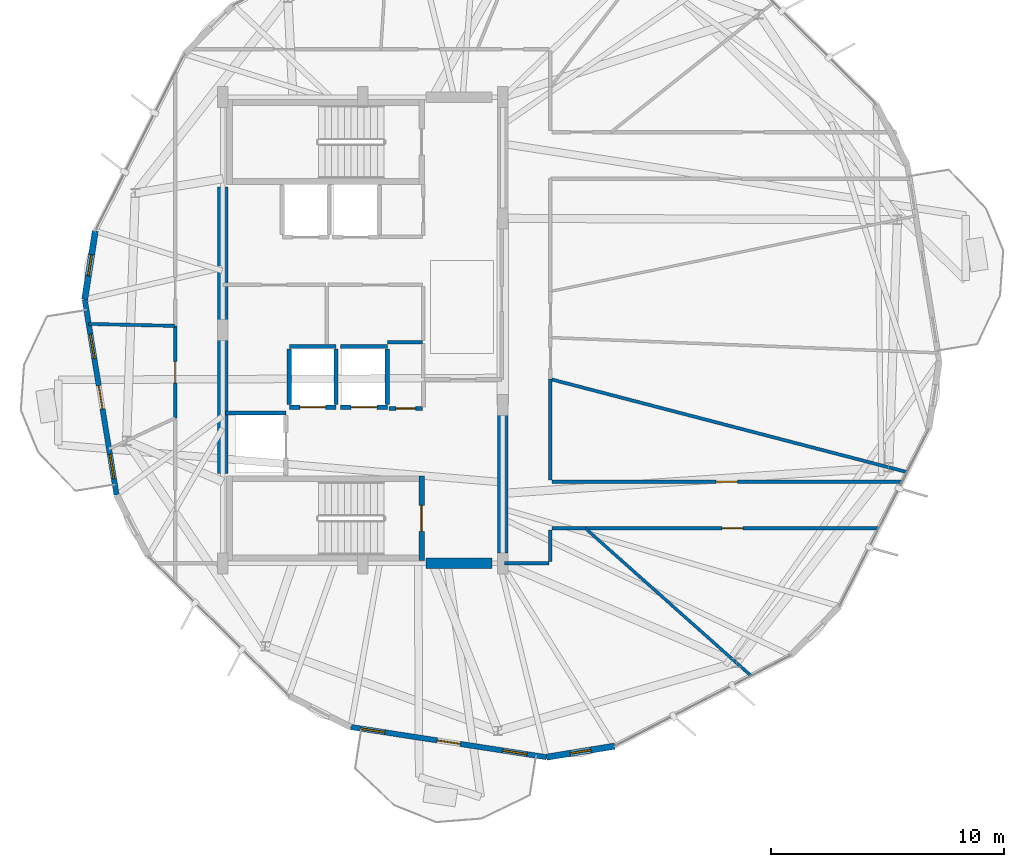
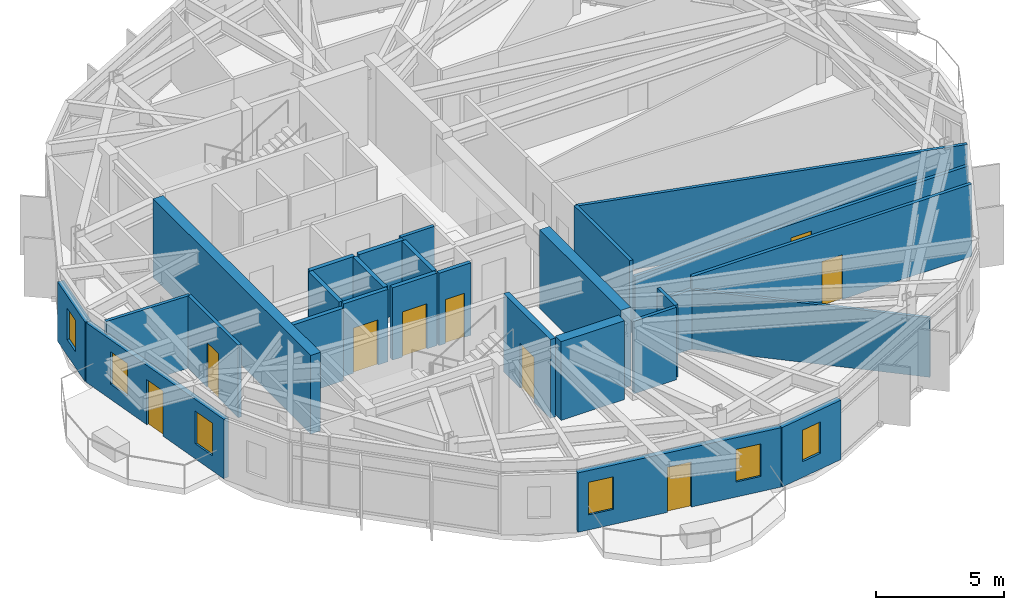
# One storey, part 17 of 22: 28 walls, 9 doors, 6 windows, 15 openings.
"""IFC4 building model written with IfcOpenShell, lengths in metres."""

from ifc_helpers import new_model, si_unit, direction, frame, frame_2d, origin, place, context, subcontext, project, spatial, rectangle, extrude, material, layer, layer_set, type_object, element, fill, save


model = new_model("IFC4")

# Units and contexts
model_context = context("Model", 3, precision=1e-05, world=origin(), true_north=direction((0.0, 1.0)))
body_context = subcontext(model_context, "Body", "Model", "MODEL_VIEW")
ifc_project = project(units=[si_unit("LENGTHUNIT", "METRE"), si_unit("AREAUNIT", "SQUARE_METRE"), si_unit("VOLUMEUNIT", "CUBIC_METRE"), si_unit("PLANEANGLEUNIT", "RADIAN"), si_unit("MASSUNIT", "GRAM", prefix="KILO")], contexts=[model_context])

# Site, building, storey
site_placement = place(None, origin())
site = spatial("IfcSite", under=ifc_project, at=site_placement, CompositionType="ELEMENT")
building_placement = place(site_placement, origin())
building = spatial("IfcBuilding", under=site, at=building_placement, Name="Soratama Intermodal Tower", CompositionType="ELEMENT")
storey_placement = place(building_placement, frame((0.0, 0.0, 265.0)))
storey = spatial("IfcBuildingStorey", under=building, at=storey_placement, Name="L67", CompositionType="ELEMENT", Elevation=265.0)

# Wall, openings, door, windows
ifc_material_1 = material(Name="Concrete f'c 42 MPa", Category="concrete")
ifc_layer_1 = layer(ifc_material_1, 0.22998046875)
ifc_layer_set_1 = layer_set([ifc_layer_1], Name="Concrete f'c 42 MPa")
wall_type_1 = type_object("IfcWallType", Name="EW-BAL-230", PredefinedType="SOLIDWALL", material=ifc_layer_set_1)
wall_1_placement = place(storey_placement, frame((26.669677734375, 26.32373046875, 0.0), z_axis=(0.0, 0.0, 1.0), x_axis=(0.16056432401, -0.987025378526, 0.0)))
wall_1 = element("IfcWall", 1, at=wall_1_placement, inside=storey, type_object=wall_type_1, Name="L67 Terrace Wall F04", PredefinedType="SOLIDWALL", context=body_context, shape_type="SweptSolid", body=[
    extrude(rectangle(XDim=8.499755859375, YDim=0.22998046875, at=frame_2d((4.25, 0.0))), origin(), (0.0, 0.0, 1.0), 2.8291015625),
])
opening_1_placement = place(wall_1_placement, frame((3.75, 0.0, 0.0)))
opening_1 = element("IfcOpeningElement", 2, at=opening_1_placement, cuts=wall_1, Name="Opening ED-2", PredefinedType="OPENING", context=body_context, shape_type="SweptSolid", body=[
    extrude(rectangle(XDim=1.0, YDim=2.14990234375, at=frame_2d((0.5, 1.074951171875))), frame((0.0, 0.125, 0.0), z_axis=(0.0, -1.0, 0.0), x_axis=(1.0, 0.0, 0.0)), (0.0, 0.0, 1.0), 0.25),
])
opening_2_placement = place(wall_1_placement, frame((1.52001953125, 0.0, 0.719970703125)))
opening_2 = element("IfcOpeningElement", 3, at=opening_2_placement, cuts=wall_1, Name="Opening WN-5", PredefinedType="OPENING", context=body_context, shape_type="SweptSolid", body=[
    extrude(rectangle(XDim=1.050048828125, YDim=1.550048828125, at=frame_2d((0.52490234375, 0.77490234375))), frame((0.0, 0.125, 0.0), z_axis=(0.0, -1.0, 0.0), x_axis=(1.0, 0.0, 0.0)), (0.0, 0.0, 1.0), 0.25),
])
opening_3_placement = place(wall_1_placement, frame((6.73974609375, 0.0, 0.719970703125)))
opening_3 = element("IfcOpeningElement", 4, at=opening_3_placement, cuts=wall_1, Name="Opening WN-5", PredefinedType="OPENING", context=body_context, shape_type="SweptSolid", body=[
    extrude(rectangle(XDim=1.050048828125, YDim=1.550048828125, at=frame_2d((0.52490234375, 0.77490234375))), frame((0.0, 0.125, 0.0), z_axis=(0.0, -1.0, 0.0), x_axis=(1.0, 0.0, 0.0)), (0.0, 0.0, 1.0), 0.25),
])
ifc_material_2 = material(Name="Double-glazed aluminium door", Category="aluminium")
door_type_1 = type_object("IfcDoorType", Name="DR-BAL-1000", OperationType="NOTDEFINED", PredefinedType="DOOR", material=ifc_material_2)
door_1_placement = place(opening_1_placement, origin())
door_1 = element("IfcDoor", 5, at=door_1_placement, inside=storey, type_object=door_type_1, Name="L67 Balcony Door F04", OperationType="SINGLE_SWING_RIGHT", OverallHeight=2.14990234375, OverallWidth=1.0, PredefinedType="DOOR", context=body_context, shape_type="SweptSolid", body=[
    extrude(rectangle(XDim=1.0, YDim=2.14990234375, at=frame_2d((0.5, 1.074951171875))), frame((0.0, 0.02490234375, 0.0), z_axis=(0.0, -1.0, 0.0), x_axis=(1.0, 0.0, 0.0)), (0.0, 0.0, 1.0), 0.050048828125),
])
fill(opening_1, door_1)
ifc_material_3 = material(Name="Double-glazed aluminium window", Category="aluminium")
window_type_1 = type_object("IfcWindowType", Name="WN-FAC-1050", PartitioningType="SINGLE_PANEL", PredefinedType="WINDOW", material=ifc_material_3)
window_1_placement = place(opening_2_placement, origin())
window_1 = element("IfcWindow", 6, at=window_1_placement, inside=storey, type_object=window_type_1, Name="L67 Window A F04", OverallHeight=1.550048828125, OverallWidth=1.050048828125, PartitioningType="SINGLE_PANEL", PredefinedType="WINDOW", context=body_context, shape_type="SweptSolid", body=[
    extrude(rectangle(XDim=1.050048828125, YDim=1.550048828125, at=frame_2d((0.52490234375, 0.77490234375))), frame((0.0, 0.030029296875, 0.0), z_axis=(0.0, -1.0, 0.0), x_axis=(1.0, 0.0, 0.0)), (0.0, 0.0, 1.0), 0.06005859375),
])
fill(opening_2, window_1)
window_2_placement = place(opening_3_placement, origin())
window_2 = element("IfcWindow", 7, at=window_2_placement, inside=storey, type_object=window_type_1, Name="L67 Window B F04", OverallHeight=1.550048828125, OverallWidth=1.050048828125, PartitioningType="SINGLE_PANEL", PredefinedType="WINDOW", context=body_context, shape_type="SweptSolid", body=[
    extrude(rectangle(XDim=1.050048828125, YDim=1.550048828125, at=frame_2d((0.52490234375, 0.77490234375))), frame((0.0, 0.030029296875, 0.0), z_axis=(0.0, -1.0, 0.0), x_axis=(1.0, 0.0, 0.0)), (0.0, 0.0, 1.0), 0.06005859375),
])
fill(opening_3, window_2)

wall_2_placement = place(storey_placement, frame((38.07666015625, 7.97607421875, 0.0), z_axis=(0.0, 0.0, 1.0), x_axis=(0.98833148408, -0.152318342878, 0.0)))
wall_2 = element("IfcWall", 8, at=wall_2_placement, inside=storey, type_object=wall_type_1, Name="L67 Terrace Wall F06", PredefinedType="SOLIDWALL", context=body_context, shape_type="SweptSolid", body=[
    extrude(rectangle(XDim=8.499755859375, YDim=0.22998046875, at=frame_2d((4.25, 0.0))), origin(), (0.0, 0.0, 1.0), 2.8291015625),
])
opening_4_placement = place(wall_2_placement, frame((3.75, 0.0, 0.0)))
opening_4 = element("IfcOpeningElement", 9, at=opening_4_placement, cuts=wall_2, Name="Opening ED-2", PredefinedType="OPENING", context=body_context, shape_type="SweptSolid", body=[
    extrude(rectangle(XDim=1.0, YDim=2.14990234375, at=frame_2d((0.5, 1.074951171875))), frame((0.0, 0.125, 0.0), z_axis=(0.0, -1.0, 0.0), x_axis=(1.0, 0.0, 0.0)), (0.0, 0.0, 1.0), 0.25),
])
opening_5_placement = place(wall_2_placement, frame((0.43994140625, 0.0, 0.719970703125)))
opening_5 = element("IfcOpeningElement", 10, at=opening_5_placement, cuts=wall_2, Name="Opening WN-5", PredefinedType="OPENING", context=body_context, shape_type="SweptSolid", body=[
    extrude(rectangle(XDim=1.050048828125, YDim=1.550048828125, at=frame_2d((0.52490234375, 0.77490234375))), frame((0.0, 0.125, 0.0), z_axis=(0.0, -1.0, 0.0), x_axis=(1.0, 0.0, 0.0)), (0.0, 0.0, 1.0), 0.25),
])
opening_6_placement = place(wall_2_placement, frame((6.60498046875, 0.0, 0.719970703125)))
opening_6 = element("IfcOpeningElement", 11, at=opening_6_placement, cuts=wall_2, Name="Opening WN-5", PredefinedType="OPENING", context=body_context, shape_type="SweptSolid", body=[
    extrude(rectangle(XDim=1.050048828125, YDim=1.550048828125, at=frame_2d((0.52490234375, 0.77490234375))), frame((0.0, 0.125, 0.0), z_axis=(0.0, -1.0, 0.0), x_axis=(1.0, 0.0, 0.0)), (0.0, 0.0, 1.0), 0.25),
])
door_2_placement = place(opening_4_placement, origin())
door_2 = element("IfcDoor", 12, at=door_2_placement, inside=storey, type_object=door_type_1, Name="L67 Balcony Door F06", OperationType="SINGLE_SWING_RIGHT", OverallHeight=2.14990234375, OverallWidth=1.0, PredefinedType="DOOR", context=body_context, shape_type="SweptSolid", body=[
    extrude(rectangle(XDim=1.0, YDim=2.14990234375, at=frame_2d((0.5, 1.074951171875))), frame((0.0, 0.02490234375, 0.0), z_axis=(0.0, -1.0, 0.0), x_axis=(1.0, 0.0, 0.0)), (0.0, 0.0, 1.0), 0.050048828125),
])
fill(opening_4, door_2)
window_3_placement = place(opening_5_placement, origin())
window_3 = element("IfcWindow", 13, at=window_3_placement, inside=storey, type_object=window_type_1, Name="L67 Window A F06", OverallHeight=1.550048828125, OverallWidth=1.050048828125, PartitioningType="SINGLE_PANEL", PredefinedType="WINDOW", context=body_context, shape_type="SweptSolid", body=[
    extrude(rectangle(XDim=1.050048828125, YDim=1.550048828125, at=frame_2d((0.52490234375, 0.77490234375))), frame((0.0, 0.030029296875, 0.0), z_axis=(0.0, -1.0, 0.0), x_axis=(1.0, 0.0, 0.0)), (0.0, 0.0, 1.0), 0.06005859375),
])
fill(opening_5, window_3)
window_4_placement = place(opening_6_placement, origin())
window_4 = element("IfcWindow", 14, at=window_4_placement, inside=storey, type_object=window_type_1, Name="L67 Window B F06", OverallHeight=1.550048828125, OverallWidth=1.050048828125, PartitioningType="SINGLE_PANEL", PredefinedType="WINDOW", context=body_context, shape_type="SweptSolid", body=[
    extrude(rectangle(XDim=1.050048828125, YDim=1.550048828125, at=frame_2d((0.52490234375, 0.77490234375))), frame((0.0, 0.030029296875, 0.0), z_axis=(0.0, -1.0, 0.0), x_axis=(1.0, 0.0, 0.0)), (0.0, 0.0, 1.0), 0.06005859375),
])
fill(opening_6, window_4)

# Wall, opening, window
ifc_material_4 = material(Name="Concrete f'c 42 MPa", Category="concrete")
ifc_layer_2 = layer(ifc_material_4, 0.27001953125)
ifc_layer_set_2 = layer_set([ifc_layer_2], Name="Concrete f'c 42 MPa")
wall_type_2 = type_object("IfcWallType", Name="EW-CRN-270", PredefinedType="SOLIDWALL", material=ifc_layer_set_2)
wall_3_placement = place(storey_placement, frame((27.12158203125, 29.255615234375, 0.0), z_axis=(0.0, 0.0, 1.0), x_axis=(-0.152335472576, -0.988328843956, 0.0)))
wall_3 = element("IfcWall", 15, at=wall_3_placement, inside=storey, type_object=wall_type_2, Name="L67 Corner Closure Wall 03", PredefinedType="SOLIDWALL", context=body_context, shape_type="SweptSolid", body=[
    extrude(rectangle(XDim=2.966552734375, YDim=0.27001953125, at=frame_2d((1.4833984375, 0.0))), origin(), (0.0, 0.0, 1.0), 2.8291015625),
])
opening_7_placement = place(wall_3_placement, frame((1.033203125, 0.0, 0.75)))
opening_7 = element("IfcOpeningElement", 16, at=opening_7_placement, cuts=wall_3, Name="Opening WN-6", PredefinedType="OPENING", context=body_context, shape_type="SweptSolid", body=[
    extrude(rectangle(XDim=0.89990234375, YDim=1.5, at=frame_2d((0.449951171875, 0.75))), frame((0.0, 0.14501953125, 0.0), z_axis=(0.0, -1.0, 0.0), x_axis=(1.0, 0.0, 0.0)), (0.0, 0.0, 1.0), 0.2900390625),
])
ifc_material_5 = material(Name="Double-glazed aluminium window", Category="aluminium")
window_type_2 = type_object("IfcWindowType", Name="WN-FAC-900", PartitioningType="SINGLE_PANEL", PredefinedType="WINDOW", material=ifc_material_5)
window_5_placement = place(opening_7_placement, origin())
window_5 = element("IfcWindow", 17, at=window_5_placement, inside=storey, type_object=window_type_2, Name="L67 Corner Window 03", OverallHeight=1.5, OverallWidth=0.89990234375, PartitioningType="SINGLE_PANEL", PredefinedType="WINDOW", context=body_context, shape_type="SweptSolid", body=[
    extrude(rectangle(XDim=0.89990234375, YDim=1.5, at=frame_2d((0.449951171875, 0.75))), frame((0.0, 0.030029296875, 0.0), z_axis=(0.0, -1.0, 0.0), x_axis=(1.0, 0.0, 0.0)), (0.0, 0.0, 1.0), 0.06005859375),
])
fill(opening_7, window_5)

wall_4_placement = place(storey_placement, frame((46.477294921875, 6.681396484375, 0.0), z_axis=(0.0, 0.0, 1.0), x_axis=(0.98702699036, 0.16055441539, 0.0)))
wall_4 = element("IfcWall", 18, at=wall_4_placement, inside=storey, type_object=wall_type_2, Name="L67 Corner Closure Wall 06", PredefinedType="SOLIDWALL", context=body_context, shape_type="SweptSolid", body=[
    extrude(rectangle(XDim=2.966796875, YDim=0.27001953125, at=frame_2d((1.4833984375, 0.0))), origin(), (0.0, 0.0, 1.0), 2.8291015625),
])
opening_8_placement = place(wall_4_placement, frame((1.033203125, 0.0, 0.75)))
opening_8 = element("IfcOpeningElement", 19, at=opening_8_placement, cuts=wall_4, Name="Opening WN-6", PredefinedType="OPENING", context=body_context, shape_type="SweptSolid", body=[
    extrude(rectangle(XDim=0.89990234375, YDim=1.5, at=frame_2d((0.449951171875, 0.75))), frame((0.0, 0.14501953125, 0.0), z_axis=(0.0, -1.0, 0.0), x_axis=(1.0, 0.0, 0.0)), (0.0, 0.0, 1.0), 0.2900390625),
])
window_6_placement = place(opening_8_placement, origin())
window_6 = element("IfcWindow", 20, at=window_6_placement, inside=storey, type_object=window_type_2, Name="L67 Corner Window 06", OverallHeight=1.5, OverallWidth=0.89990234375, PartitioningType="SINGLE_PANEL", PredefinedType="WINDOW", context=body_context, shape_type="SweptSolid", body=[
    extrude(rectangle(XDim=0.89990234375, YDim=1.5, at=frame_2d((0.449951171875, 0.75))), frame((0.0, 0.030029296875, 0.0), z_axis=(0.0, -1.0, 0.0), x_axis=(1.0, 0.0, 0.0)), (0.0, 0.0, 1.0), 0.06005859375),
])
fill(opening_8, window_6)

# Wall, opening, door
ifc_material_6 = material(Name="Fire-rated gypsum stud partition", Category="concrete")
ifc_layer_3 = layer(ifc_material_6, 0.14990234375)
ifc_layer_set_3 = layer_set([ifc_layer_3], Name="Fire-rated gypsum stud partition")
wall_type_3 = type_object("IfcWallType", Name="IW-PART-R150", PredefinedType="PARTITIONING", material=ifc_layer_set_3)
wall_5_placement = place(storey_placement, frame((46.719970703125, 18.5, 0.0), z_axis=(0.0, 0.0, 1.0), x_axis=(1.0, 0.0, 0.0)))
wall_5 = element("IfcWall", 21, at=wall_5_placement, inside=storey, type_object=wall_type_3, Name="L67 Partition W-L67-TP005", PredefinedType="PARTITIONING", context=body_context, shape_type="SweptSolid", body=[
    extrude(rectangle(XDim=15.027099609375, YDim=0.14990234375, at=frame_2d((7.513671875, 0.0))), origin(), (0.0, 0.0, 1.0), 2.7451171875),
])
opening_9_placement = place(wall_5_placement, frame((7.0390625, 0.0, 0.0)))
opening_9 = element("IfcOpeningElement", 22, at=opening_9_placement, cuts=wall_5, Name="Opening ID-6", PredefinedType="OPENING", context=body_context, shape_type="SweptSolid", body=[
    extrude(rectangle(XDim=0.919921875, YDim=2.1201171875, at=frame_2d((0.4599609375, 1.06005859375))), frame((0.0, 0.0849609375, 0.0), z_axis=(0.0, -1.0, 0.0), x_axis=(1.0, 0.0, 0.0)), (0.0, 0.0, 1.0), 0.169921875),
])
ifc_material_7 = material(Name="Solid hardwood acoustic door", Category="wood")
door_type_2 = type_object("IfcDoorType", Name="DR-ROOM-920", OperationType="NOTDEFINED", PredefinedType="DOOR", material=ifc_material_7)
door_3_placement = place(opening_9_placement, origin())
door_3 = element("IfcDoor", 23, at=door_3_placement, inside=storey, type_object=door_type_2, Name="L67 Door D-L67-TP002", OperationType="SINGLE_SWING_LEFT", OverallHeight=2.1201171875, OverallWidth=0.919921875, PredefinedType="DOOR", context=body_context, shape_type="SweptSolid", body=[
    extrude(rectangle(XDim=0.919921875, YDim=2.1201171875, at=frame_2d((0.4599609375, 1.06005859375))), frame((0.0, 0.02490234375, 0.0), z_axis=(0.0, -1.0, 0.0), x_axis=(1.0, 0.0, 0.0)), (0.0, 0.0, 1.0), 0.050048828125),
])
fill(opening_9, door_3)

wall_6_placement = place(storey_placement, frame((60.738037109375, 16.5, 0.0), z_axis=(0.0, 0.0, 1.0), x_axis=(-1.0, 0.0, 0.0)))
wall_6 = element("IfcWall", 24, at=wall_6_placement, inside=storey, type_object=wall_type_3, Name="L67 Partition W-L67-TP006", PredefinedType="PARTITIONING", context=body_context, shape_type="SweptSolid", body=[
    extrude(rectangle(XDim=12.589111328125, YDim=0.14990234375, at=frame_2d((6.29443359375, 0.0))), origin(), (0.0, 0.0, 1.0), 3.449951171875),
])
opening_10_placement = place(wall_6_placement, frame((5.819091796875, 0.0, 0.0)))
opening_10 = element("IfcOpeningElement", 25, at=opening_10_placement, cuts=wall_6, Name="Opening ID-6", PredefinedType="OPENING", context=body_context, shape_type="SweptSolid", body=[
    extrude(rectangle(XDim=0.919921875, YDim=2.1201171875, at=frame_2d((0.4599609375, 1.06005859375))), frame((0.0, 0.0849609375, 0.0), z_axis=(0.0, -1.0, 0.0), x_axis=(1.0, 0.0, 0.0)), (0.0, 0.0, 1.0), 0.169921875),
])
door_4_placement = place(opening_10_placement, origin())
door_4 = element("IfcDoor", 26, at=door_4_placement, inside=storey, type_object=door_type_2, Name="L67 Door D-L67-TP003", OperationType="SINGLE_SWING_RIGHT", OverallHeight=2.1201171875, OverallWidth=0.919921875, PredefinedType="DOOR", context=body_context, shape_type="SweptSolid", body=[
    extrude(rectangle(XDim=0.919921875, YDim=2.1201171875, at=frame_2d((0.4599609375, 1.06005859375))), frame((0.0, 0.02490234375, 0.0), z_axis=(0.0, -1.0, 0.0), x_axis=(1.0, 0.0, 0.0)), (0.0, 0.0, 1.0), 0.050048828125),
])
fill(opening_10, door_4)

# Wall
wall_7_placement = place(storey_placement, frame((46.64990234375, 22.90087890625, 0.0), z_axis=(0.0, 0.0, 1.0), x_axis=(0.0, -1.0, 0.0)))
element("IfcWall", 27, at=wall_7_placement, inside=storey, type_object=wall_type_3, Name="L67 Partition W-L67-TP019", PredefinedType="PARTITIONING", context=body_context, shape_type="SweptSolid", body=[
    extrude(rectangle(XDim=4.330810546875, YDim=0.14990234375, at=frame_2d((2.16552734375, 0.0))), origin(), (0.0, 0.0, 1.0), 3.449951171875),
])

# Wall, opening, door
wall_8_placement = place(storey_placement, frame((30.550048828125, 21.23388671875, 0.0), z_axis=(0.0, 0.0, 1.0), x_axis=(0.0, 1.0, 0.0)))
wall_8 = element("IfcWall", 28, at=wall_8_placement, inside=storey, type_object=wall_type_3, Name="L67 Partition W-L67-TP022", PredefinedType="PARTITIONING", context=body_context, shape_type="SweptSolid", body=[
    extrude(rectangle(XDim=3.951171875, YDim=0.14990234375, at=frame_2d((1.9755859375, 0.0))), origin(), (0.0, 0.0, 1.0), 3.449951171875),
])
opening_11_placement = place(wall_8_placement, frame((1.5, 0.0, 0.0)))
opening_11 = element("IfcOpeningElement", 29, at=opening_11_placement, cuts=wall_8, Name="Opening ID-6", PredefinedType="OPENING", context=body_context, shape_type="SweptSolid", body=[
    extrude(rectangle(XDim=0.919921875, YDim=2.1201171875, at=frame_2d((0.4599609375, 1.06005859375))), frame((0.0, 0.0849609375, 0.0), z_axis=(0.0, -1.0, 0.0), x_axis=(1.0, 0.0, 0.0)), (0.0, 0.0, 1.0), 0.169921875),
])
door_5_placement = place(opening_11_placement, origin())
door_5 = element("IfcDoor", 30, at=door_5_placement, inside=storey, type_object=door_type_2, Name="L67 Door D-L67-TP012", OperationType="SINGLE_SWING_LEFT", OverallHeight=2.1201171875, OverallWidth=0.919921875, PredefinedType="DOOR", context=body_context, shape_type="SweptSolid", body=[
    extrude(rectangle(XDim=0.919921875, YDim=2.1201171875, at=frame_2d((0.4599609375, 1.06005859375))), frame((0.0, 0.02490234375, 0.0), z_axis=(0.0, -1.0, 0.0), x_axis=(1.0, 0.0, 0.0)), (0.0, 0.0, 1.0), 0.050048828125),
])
fill(opening_11, door_5)

# Walls
wall_9_placement = place(storey_placement, frame((46.580078125, 15.0, 0.0), z_axis=(0.0, 0.0, 1.0), x_axis=(-1.0, 0.0, 0.0)))
element("IfcWall", 31, at=wall_9_placement, inside=storey, type_object=wall_type_3, Name="L67 Partition W-L67-TP033", PredefinedType="PARTITIONING", context=body_context, shape_type="SweptSolid", body=[
    extrude(rectangle(XDim=1.91015625, YDim=0.14990234375, at=frame_2d((0.955078125, 0.0))), origin(), (0.0, 0.0, 1.0), 3.449951171875),
])
wall_10_placement = place(storey_placement, frame((39.64990234375, 24.485107421875, 0.0), z_axis=(0.0, 0.0, 1.0), x_axis=(1.0, 0.0, 0.0)))
element("IfcWall", 32, at=wall_10_placement, inside=storey, type_object=wall_type_3, Name="L67 Partition W-L67-TP038", PredefinedType="PARTITIONING", context=body_context, shape_type="SweptSolid", body=[
    extrude(rectangle(XDim=1.510009765625, YDim=0.14990234375, at=frame_2d((0.7548828125, 0.0))), origin(), (0.0, 0.0, 1.0), 3.449951171875),
])
wall_11_placement = place(storey_placement, frame((48.14892578125, 16.5, 0.0), z_axis=(0.0, 0.0, 1.0), x_axis=(-1.0, 0.0, 0.0)))
element("IfcWall", 33, at=wall_11_placement, inside=storey, type_object=wall_type_3, Name="L67 Partition W-L67-TP041", PredefinedType="PARTITIONING", context=body_context, shape_type="SweptSolid", body=[
    extrude(rectangle(XDim=1.428955078125, YDim=0.14990234375, at=frame_2d((0.71435546875, 0.0))), origin(), (0.0, 0.0, 1.0), 2.827880859375),
])
wall_12_placement = place(storey_placement, frame((46.64990234375, 16.429931640625, 0.0), z_axis=(0.0, 0.0, 1.0), x_axis=(0.0, -1.0, 0.0)))
element("IfcWall", 34, at=wall_12_placement, inside=storey, type_object=wall_type_3, Name="L67 Partition W-L67-TP042", PredefinedType="PARTITIONING", context=body_context, shape_type="SweptSolid", body=[
    extrude(rectangle(XDim=1.35986328125, YDim=0.14990234375, at=frame_2d((0.679931640625, 0.0))), origin(), (0.0, 0.0, 1.0), 3.449951171875),
])

# Wall, opening, door
ifc_material_8 = material(Name="Fire-rated gypsum stud partition", Category="concrete")
ifc_layer_4 = layer(ifc_material_8, 0.169921875)
ifc_layer_set_4 = layer_set([ifc_layer_4], Name="Fire-rated gypsum stud partition")
wall_type_4 = type_object("IfcWallType", Name="IW-PART-R170", PredefinedType="PARTITIONING", material=ifc_layer_set_4)
wall_13_placement = place(storey_placement, frame((39.719970703125, 21.639892578125, 0.0), z_axis=(0.0, 0.0, 1.0), x_axis=(1.0, 0.0, 0.0)))
wall_13 = element("IfcWall", 35, at=wall_13_placement, inside=storey, type_object=wall_type_4, Name="L67 Partition W-L67-TP040", PredefinedType="PARTITIONING", context=body_context, shape_type="SweptSolid", body=[
    extrude(rectangle(XDim=1.43994140625, YDim=0.169921875, at=frame_2d((0.719970703125, 0.0))), origin(), (0.0, 0.0, 1.0), 3.449951171875),
])
opening_12_placement = place(wall_13_placement, frame((0.294921875, 0.0, 0.0)))
opening_12 = element("IfcOpeningElement", 36, at=opening_12_placement, cuts=wall_13, Name="Opening ID-4", PredefinedType="OPENING", context=body_context, shape_type="SweptSolid", body=[
    extrude(rectangle(XDim=0.85009765625, YDim=2.10009765625, at=frame_2d((0.425048828125, 1.050048828125))), frame((0.0, 0.094970703125, 0.0), z_axis=(0.0, -1.0, 0.0), x_axis=(1.0, 0.0, 0.0)), (0.0, 0.0, 1.0), 0.18994140625),
])
ifc_material_9 = material(Name="Solid hardwood acoustic door", Category="wood")
door_type_3 = type_object("IfcDoorType", Name="DR-BATH-850", OperationType="NOTDEFINED", PredefinedType="DOOR", material=ifc_material_9)
door_6_placement = place(opening_12_placement, origin())
door_6 = element("IfcDoor", 37, at=door_6_placement, inside=storey, type_object=door_type_3, Name="L67 Door D-L67-TP019", OperationType="SINGLE_SWING_RIGHT", OverallHeight=2.10009765625, OverallWidth=0.85009765625, PredefinedType="DOOR", context=body_context, shape_type="SweptSolid", body=[
    extrude(rectangle(XDim=0.85009765625, YDim=2.10009765625, at=frame_2d((0.425048828125, 1.050048828125))), frame((0.0, 0.02490234375, 0.0), z_axis=(0.0, -1.0, 0.0), x_axis=(1.0, 0.0, 0.0)), (0.0, 0.0, 1.0), 0.050048828125),
])
fill(opening_12, door_6)

# Walls
ifc_material_10 = material(Name="Fire-rated gypsum stud partition", Category="concrete")
ifc_layer_5 = layer(ifc_material_10, 0.1298828125)
ifc_layer_set_5 = layer_set([ifc_layer_5], Name="Fire-rated gypsum stud partition")
wall_type_5 = type_object("IfcWallType", Name="IW-PART-S130", PredefinedType="PARTITIONING", material=ifc_layer_set_5)
wall_14_placement = place(storey_placement, frame((48.14892578125, 16.5, 0.0), z_axis=(0.0, 0.0, 1.0), x_axis=(0.746893977038, -0.664943145738, 0.0)))
element("IfcWall", 38, at=wall_14_placement, inside=storey, type_object=wall_type_5, Name="L67 Partition W-L67-TP009", PredefinedType="PARTITIONING", context=body_context, shape_type="SweptSolid", body=[
    extrude(rectangle(XDim=9.518310546875, YDim=0.1298828125, at=frame_2d((4.75927734375, 0.0))), origin(), (0.0, 0.0, 1.0), 2.827880859375),
])
ifc_material_11 = material(Name="Fire-rated gypsum stud partition", Category="concrete")
ifc_layer_6 = layer(ifc_material_11, 0.139892578125)
ifc_layer_set_6 = layer_set([ifc_layer_6], Name="Fire-rated gypsum stud partition")
wall_type_6 = type_object("IfcWallType", Name="IW-PART-S140", PredefinedType="PARTITIONING", material=ifc_layer_set_6)
wall_15_placement = place(storey_placement, frame((46.64990234375, 22.90087890625, 0.0), z_axis=(0.0, 0.0, 1.0), x_axis=(0.967654473488, -0.252279249916, 0.0)))
element("IfcWall", 39, at=wall_15_placement, inside=storey, type_object=wall_type_6, Name="L67 Partition W-L67-TP003", PredefinedType="PARTITIONING", context=body_context, shape_type="SweptSolid", body=[
    extrude(rectangle(XDim=15.815673828125, YDim=0.139892578125, at=frame_2d((7.90771484375, 0.0))), origin(), (0.0, 0.0, 1.0), 3.449951171875),
])
wall_16_placement = place(storey_placement, frame((30.550048828125, 25.18505859375, 0.0), z_axis=(0.0, 0.0, 1.0), x_axis=(-0.999737742621, 0.022900785573, 0.0)))
element("IfcWall", 40, at=wall_16_placement, inside=storey, type_object=wall_type_6, Name="L67 Partition W-L67-TP023", PredefinedType="PARTITIONING", context=body_context, shape_type="SweptSolid", body=[
    extrude(rectangle(XDim=3.7099609375, YDim=0.139892578125, at=frame_2d((1.85498046875, 0.0))), origin(), (0.0, 0.0, 1.0), 3.449951171875),
])

# Wall, opening, door
ifc_material_12 = material(Name="Concrete f'c 42 MPa", Category="concrete")
ifc_layer_7 = layer(ifc_material_12, 0.18505859375)
ifc_layer_set_7 = layer_set([ifc_layer_7], Name="Concrete f'c 42 MPa")
wall_type_7 = type_object("IfcWallType", Name="IW-SHAFT-185", PredefinedType="SOLIDWALL", material=ifc_layer_set_7)
wall_17_placement = place(storey_placement, frame((35.449951171875, 21.699951171875, 0.0), z_axis=(0.0, 0.0, 1.0), x_axis=(1.0, 0.0, 0.0)))
wall_17 = element("IfcWall", 41, at=wall_17_placement, inside=storey, type_object=wall_type_7, Name="L67 FFL-1 Hoistway Wall S", PredefinedType="SOLIDWALL", context=body_context, shape_type="SweptSolid", body=[
    extrude(rectangle(XDim=2.0, YDim=0.18505859375, at=frame_2d((1.0, 0.0))), origin(), (0.0, 0.0, 1.0), 3.449951171875),
])
opening_13_placement = place(wall_17_placement, frame((0.449951171875, 0.0, 0.0)))
opening_13 = element("IfcOpeningElement", 42, at=opening_13_placement, cuts=wall_17, Name="Opening LD-1", PredefinedType="OPENING", context=body_context, shape_type="SweptSolid", body=[
    extrude(rectangle(XDim=1.10009765625, YDim=2.14990234375, at=frame_2d((0.550048828125, 1.074951171875))), frame((0.0, 0.1025390625, 0.0), z_axis=(0.0, -1.0, 0.0), x_axis=(1.0, 0.0, 0.0)), (0.0, 0.0, 1.0), 0.205078125),
])
ifc_material_13 = material(Name="Steel fire door", Category="steel")
door_type_4 = type_object("IfcDoorType", Name="DR-LIFT-SLIDE", OperationType="NOTDEFINED", PredefinedType="DOOR", material=ifc_material_13)
door_7_placement = place(opening_13_placement, origin())
door_7 = element("IfcDoor", 43, at=door_7_placement, inside=storey, type_object=door_type_4, Name="L67 FFL-1 Sliding Landing Door", OperationType="SLIDING_TO_LEFT", OverallHeight=2.14990234375, OverallWidth=1.10009765625, PredefinedType="DOOR", context=body_context, shape_type="SweptSolid", body=[
    extrude(rectangle(XDim=1.10009765625, YDim=2.14990234375, at=frame_2d((0.550048828125, 1.074951171875))), frame((0.0, 0.02490234375, 0.0), z_axis=(0.0, -1.0, 0.0), x_axis=(1.0, 0.0, 0.0)), (0.0, 0.0, 1.0), 0.050048828125),
])
fill(opening_13, door_7)

# Walls
wall_18_placement = place(storey_placement, frame((35.449951171875, 24.300048828125, 0.0), z_axis=(0.0, 0.0, 1.0), x_axis=(1.0, 0.0, 0.0)))
element("IfcWall", 44, at=wall_18_placement, inside=storey, type_object=wall_type_7, Name="L67 FFL-1 Hoistway Wall N", PredefinedType="SOLIDWALL", context=body_context, shape_type="SweptSolid", body=[
    extrude(rectangle(XDim=2.0, YDim=0.18505859375, at=frame_2d((1.0, 0.0))), origin(), (0.0, 0.0, 1.0), 3.449951171875),
])
for number, where, z_axis, x_axis, name in (
    (45, (35.449951171875, 21.81005859375, 0.0), (0.0, 0.0, 1.0), (0.0, 1.0, 0.0), "L67 FFL-1 Hoistway Wall W"),
    (46, (37.449951171875, 21.81005859375, 0.0), (0.0, 0.0, 1.0), (0.0, 1.0, 0.0), "L67 FFL-1 Hoistway Wall E"),
):
    element("IfcWall", number, at=place(storey_placement, frame(where, z_axis=z_axis, x_axis=x_axis)), inside=storey, type_object=wall_type_7, Name=name, PredefinedType="SOLIDWALL", context=body_context, shape_type="SweptSolid", body=[
        extrude(rectangle(XDim=2.3798828125, YDim=0.18505859375, at=frame_2d((1.18994140625, 0.0))), origin(), (0.0, 0.0, 1.0), 3.449951171875),
    ])

# Wall, opening, door
wall_19_placement = place(storey_placement, frame((37.64990234375, 21.699951171875, 0.0), z_axis=(0.0, 0.0, 1.0), x_axis=(1.0, 0.0, 0.0)))
wall_19 = element("IfcWall", 47, at=wall_19_placement, inside=storey, type_object=wall_type_7, Name="L67 FFL-2 Hoistway Wall S", PredefinedType="SOLIDWALL", context=body_context, shape_type="SweptSolid", body=[
    extrude(rectangle(XDim=2.0, YDim=0.18505859375, at=frame_2d((1.0, 0.0))), origin(), (0.0, 0.0, 1.0), 3.449951171875),
])
opening_14_placement = place(wall_19_placement, frame((0.449951171875, 0.0, 0.0)))
opening_14 = element("IfcOpeningElement", 48, at=opening_14_placement, cuts=wall_19, Name="Opening LD-1", PredefinedType="OPENING", context=body_context, shape_type="SweptSolid", body=[
    extrude(rectangle(XDim=1.10009765625, YDim=2.14990234375, at=frame_2d((0.550048828125, 1.074951171875))), frame((0.0, 0.1025390625, 0.0), z_axis=(0.0, -1.0, 0.0), x_axis=(1.0, 0.0, 0.0)), (0.0, 0.0, 1.0), 0.205078125),
])
door_8_placement = place(opening_14_placement, origin())
door_8 = element("IfcDoor", 49, at=door_8_placement, inside=storey, type_object=door_type_4, Name="L67 FFL-2 Sliding Landing Door", OperationType="SLIDING_TO_LEFT", OverallHeight=2.14990234375, OverallWidth=1.10009765625, PredefinedType="DOOR", context=body_context, shape_type="SweptSolid", body=[
    extrude(rectangle(XDim=1.10009765625, YDim=2.14990234375, at=frame_2d((0.550048828125, 1.074951171875))), frame((0.0, 0.02490234375, 0.0), z_axis=(0.0, -1.0, 0.0), x_axis=(1.0, 0.0, 0.0)), (0.0, 0.0, 1.0), 0.050048828125),
])
fill(opening_14, door_8)

# Walls
wall_20_placement = place(storey_placement, frame((37.64990234375, 24.300048828125, 0.0), z_axis=(0.0, 0.0, 1.0), x_axis=(1.0, 0.0, 0.0)))
element("IfcWall", 50, at=wall_20_placement, inside=storey, type_object=wall_type_7, Name="L67 FFL-2 Hoistway Wall N", PredefinedType="SOLIDWALL", context=body_context, shape_type="SweptSolid", body=[
    extrude(rectangle(XDim=2.0, YDim=0.18505859375, at=frame_2d((1.0, 0.0))), origin(), (0.0, 0.0, 1.0), 3.449951171875),
])
wall_21_placement = place(storey_placement, frame((39.64990234375, 21.81005859375, 0.0), z_axis=(0.0, 0.0, 1.0), x_axis=(0.0, 1.0, 0.0)))
element("IfcWall", 51, at=wall_21_placement, inside=storey, type_object=wall_type_7, Name="L67 FFL-2 Hoistway Wall E", PredefinedType="SOLIDWALL", context=body_context, shape_type="SweptSolid", body=[
    extrude(rectangle(XDim=2.3798828125, YDim=0.18505859375, at=frame_2d((1.18994140625, 0.0))), origin(), (0.0, 0.0, 1.0), 3.449951171875),
])
wall_22_placement = place(storey_placement, frame((32.719970703125, 21.449951171875, 0.0), z_axis=(0.0, 0.0, 1.0), x_axis=(1.0, 0.0, 0.0)))
element("IfcWall", 52, at=wall_22_placement, inside=storey, type_object=wall_type_7, Name="L67 SVL-1 Hoistway Wall N", PredefinedType="SOLIDWALL", context=body_context, shape_type="SweptSolid", body=[
    extrude(rectangle(XDim=2.580078125, YDim=0.18505859375, at=frame_2d((1.2900390625, 0.0))), origin(), (0.0, 0.0, 1.0), 3.449951171875),
])
ifc_material_14 = material(Name="Concrete f'c 56 MPa", Category="concrete")
ifc_layer_8 = layer(ifc_material_14, 0.449951171875)
ifc_layer_set_8 = layer_set([ifc_layer_8], Name="Concrete f'c 56 MPa")
wall_type_8 = type_object("IfcWallType", Name="SW-CORE-450", PredefinedType="SHEAR", material=ifc_layer_set_8)
wall_23_placement = place(storey_placement, frame((32.60009765625, 18.85009765625, 0.0), z_axis=(0.0, 0.0, 1.0), x_axis=(0.0, 1.0, 0.0)))
element("IfcWall", 53, at=wall_23_placement, inside=storey, type_object=wall_type_8, Name="L67 Core Shear Wall CW-WMID", PredefinedType="SHEAR", context=body_context, shape_type="SweptSolid", body=[
    extrude(rectangle(XDim=12.2998046875, YDim=0.449951171875, at=frame_2d((6.14990234375, 0.0))), origin(), (0.0, 0.0, 1.0), 3.75),
])
wall_24_placement = place(storey_placement, frame((41.300048828125, 15.0, 0.0), z_axis=(0.0, 0.0, 1.0), x_axis=(1.0, 0.0, 0.0)))
element("IfcWall", 54, at=wall_24_placement, inside=storey, type_object=wall_type_8, Name="L67 Core Shear Wall CW-SE", PredefinedType="SHEAR", context=body_context, shape_type="SweptSolid", body=[
    extrude(rectangle(XDim=2.849853515625, YDim=0.449951171875, at=frame_2d((1.4248046875, 0.0))), origin(), (0.0, 0.0, 1.0), 3.75),
])
wall_25_placement = place(storey_placement, frame((44.60009765625, 15.449951171875, 0.0), z_axis=(0.0, 0.0, 1.0), x_axis=(0.0, 1.0, 0.0)))
element("IfcWall", 55, at=wall_25_placement, inside=storey, type_object=wall_type_8, Name="L67 Core Shear Wall CW-ES", PredefinedType="SHEAR", context=body_context, shape_type="SweptSolid", body=[
    extrude(rectangle(XDim=6.35009765625, YDim=0.449951171875, at=frame_2d((3.175048828125, 0.0))), origin(), (0.0, 0.0, 1.0), 3.75),
])

# Wall, opening, door
ifc_material_15 = material(Name="Concrete f'c 56 MPa", Category="concrete")
ifc_layer_9 = layer(ifc_material_15, 0.239990234375)
ifc_layer_set_9 = layer_set([ifc_layer_9], Name="Concrete f'c 56 MPa")
wall_type_9 = type_object("IfcWallType", Name="SW-STAIR-240", PredefinedType="SHEAR", material=ifc_layer_set_9)
wall_26_placement = place(storey_placement, frame((41.1201171875, 15.110107421875, 0.0), z_axis=(0.0, 0.0, 1.0), x_axis=(0.0, 1.0, 0.0)))
wall_26 = element("IfcWall", 56, at=wall_26_placement, inside=storey, type_object=wall_type_9, Name="L67 ST-1 Shaft Shear Wall E", PredefinedType="SHEAR", context=body_context, shape_type="SweptSolid", body=[
    extrude(rectangle(XDim=3.6298828125, YDim=0.239990234375, at=frame_2d((1.81494140625, 0.0))), origin(), (0.0, 0.0, 1.0), 3.75),
])
opening_15_placement = place(wall_26_placement, frame((1.2548828125, 0.0, 0.0)))
opening_15 = element("IfcOpeningElement", 57, at=opening_15_placement, cuts=wall_26, Name="Opening SD-1", PredefinedType="OPENING", context=body_context, shape_type="SweptSolid", body=[
    extrude(rectangle(XDim=1.1201171875, YDim=2.14990234375, at=frame_2d((0.56005859375, 1.074951171875))), frame((0.0, 0.1298828125, 0.0), z_axis=(0.0, -1.0, 0.0), x_axis=(1.0, 0.0, 0.0)), (0.0, 0.0, 1.0), 0.260009765625),
])
ifc_material_16 = material(Name="Steel fire door", Category="steel")
door_type_5 = type_object("IfcDoorType", Name="DR-STAIR-FD90", OperationType="NOTDEFINED", PredefinedType="DOOR", material=ifc_material_16)
door_9_placement = place(opening_15_placement, origin())
door_9 = element("IfcDoor", 58, at=door_9_placement, inside=storey, type_object=door_type_5, Name="L67 ST-1 Exit Stair Door", OperationType="SINGLE_SWING_LEFT", OverallHeight=2.14990234375, OverallWidth=1.1201171875, PredefinedType="DOOR", context=body_context, shape_type="SweptSolid", body=[
    extrude(rectangle(XDim=1.1201171875, YDim=2.14990234375, at=frame_2d((0.56005859375, 1.074951171875))), frame((0.0, 0.02490234375, 0.0), z_axis=(0.0, -1.0, 0.0), x_axis=(1.0, 0.0, 0.0)), (0.0, 0.0, 1.0), 0.050048828125),
])
fill(opening_15, door_9)

save(model, "model.ifc")
